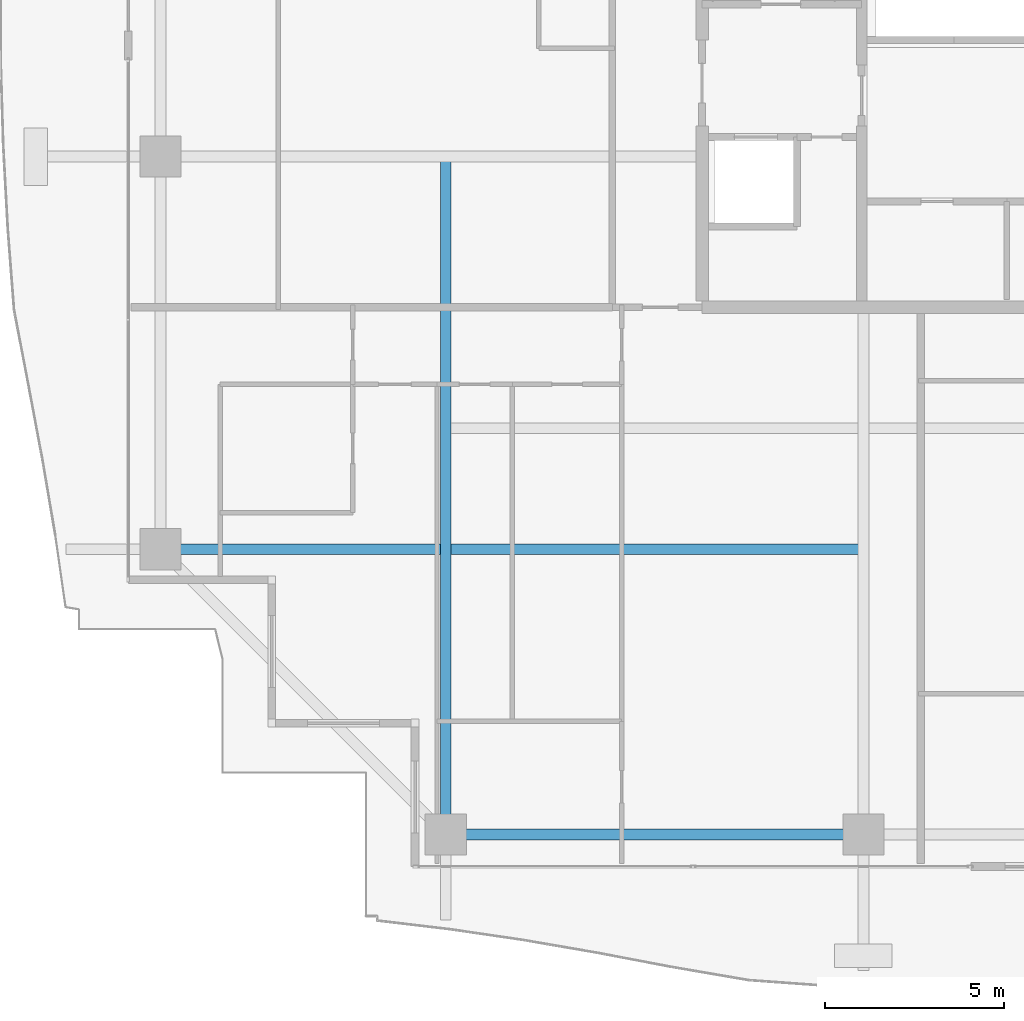
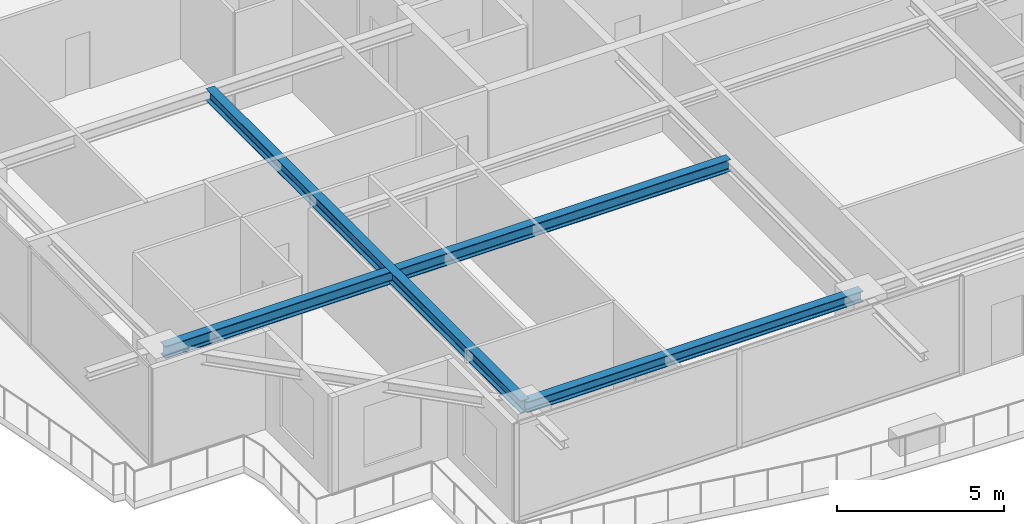
# One storey, part 4 of 35: 3 beams.
"""IFC4 building model written with IfcOpenShell, lengths in metres."""

from ifc_helpers import new_model, si_unit, direction, frame, origin, origin_2d, place, context, subcontext, project, spatial, i_section, extrude, source, transform, mapped, material, material_profile, profile_set, type_object, element, save


model = new_model("IFC4")

# Units and contexts
model_context = context("Model", 3, precision=1e-05, world=origin(), true_north=direction((0.0, 1.0)))
body_context = subcontext(model_context, "Body", "Model", "MODEL_VIEW")
ifc_project = project(units=[si_unit("LENGTHUNIT", "METRE"), si_unit("AREAUNIT", "SQUARE_METRE"), si_unit("VOLUMEUNIT", "CUBIC_METRE"), si_unit("PLANEANGLEUNIT", "RADIAN"), si_unit("MASSUNIT", "GRAM", prefix="KILO")], contexts=[model_context])

# Site, building, storey
site_placement = place(None, origin())
site = spatial("IfcSite", under=ifc_project, at=site_placement, CompositionType="ELEMENT")
building_placement = place(site_placement, origin())
building = spatial("IfcBuilding", under=site, at=building_placement, Name="Serunith Strait Residences", CompositionType="ELEMENT")
storey_placement = place(building_placement, frame((0.0, 0.0, 210.449951171875)))
storey = spatial("IfcBuildingStorey", under=building, at=storey_placement, Name="L52", CompositionType="ELEMENT", Elevation=210.449951171875)

# Beams
ifc_material = material(Name="Steel S355J2", Category="steel")
ifc_material_profile_1 = material_profile(ifc_material, i_section(OverallWidth=0.300048828125, OverallDepth=0.449951171875, WebThickness=0.013916015625, FlangeThickness=0.02587890625, FilletRadius=0.027099609375, at=origin_2d()), Name="HEB 450")
ifc_profile_set_1 = profile_set([ifc_material_profile_1], Name="Steel S355J2")
beam_type_1 = type_object("IfcBeamType", Name="BM-HEB450", PredefinedType="BEAM", material=ifc_profile_set_1)
shared_shape_1 = source(origin(), body_context, "Body", "SweptSolid", [
    extrude(i_section(OverallWidth=0.300048828125, OverallDepth=0.449951171875, WebThickness=0.013916015625, FlangeThickness=0.02587890625, FilletRadius=0.027099609375, at=origin_2d()), origin(), (0.0, 0.0, 1.0), 18.89990234375),
])
beam_1_placement = place(storey_placement, frame((16.25, 21.0, 3.362060546875), z_axis=(0.0, -1.0, 0.0), x_axis=(1.0, 0.0, 0.0)))
element("IfcBeam", 1, at=beam_1_placement, inside=storey, type_object=beam_type_1, Name="L52 Orthogonal Corner Girder TC-S1", PredefinedType="BEAM", context=body_context, shape_type="MappedRepresentation", body=[
    mapped(shared_shape_1, transform((0.0, 0.0, 0.0), scale=1.0)),
])
shared_shape_2 = source(origin(), body_context, "Body", "SweptSolid", [
    extrude(i_section(OverallWidth=0.300048828125, OverallDepth=0.449951171875, WebThickness=0.013916015625, FlangeThickness=0.02587890625, FilletRadius=0.027099609375, at=origin_2d()), origin(), (0.0, 0.0, 1.0), 19.599853515625),
])
beam_2_placement = place(storey_placement, frame((27.89990234375, 10.050048828125, 3.362060546875), z_axis=(-1.0, 0.0, 0.0), x_axis=(0.0, -1.0, 0.0)))
element("IfcBeam", 2, at=beam_2_placement, inside=storey, type_object=beam_type_1, Name="L52 Orthogonal Corner Girder TC-W1", PredefinedType="BEAM", context=body_context, shape_type="MappedRepresentation", body=[
    mapped(shared_shape_2, transform((0.0, 0.0, 0.0), scale=1.0)),
])
ifc_material_profile_2 = material_profile(ifc_material, i_section(OverallWidth=0.300048828125, OverallDepth=0.39990234375, WebThickness=0.013427734375, FlangeThickness=0.02392578125, FilletRadius=0.027099609375, at=origin_2d()), Name="HEB 400")
ifc_profile_set_2 = profile_set([ifc_material_profile_2], Name="Steel S355J2")
beam_type_2 = type_object("IfcBeamType", Name="BM-HEB400", PredefinedType="BEAM", material=ifc_profile_set_2)
shared_shape_3 = source(origin(), body_context, "Body", "SweptSolid", [
    extrude(i_section(OverallWidth=0.300048828125, OverallDepth=0.39990234375, WebThickness=0.013427734375, FlangeThickness=0.02392578125, FilletRadius=0.027099609375, at=origin_2d()), origin(), (0.0, 0.0, 1.0), 11.64990234375),
])
beam_3_placement = place(storey_placement, frame((16.25, 2.10009765625, 3.386962890625), z_axis=(1.0, 0.0, 0.0), x_axis=(0.0, 1.0, 0.0)))
element("IfcBeam", 3, at=beam_3_placement, inside=storey, type_object=beam_type_2, Name="L52 Perimeter Ring Beam 01", PredefinedType="BEAM", context=body_context, shape_type="MappedRepresentation", body=[
    mapped(shared_shape_3, transform((0.0, 0.0, 0.0), scale=1.0)),
])

save(model, "model.ifc")
